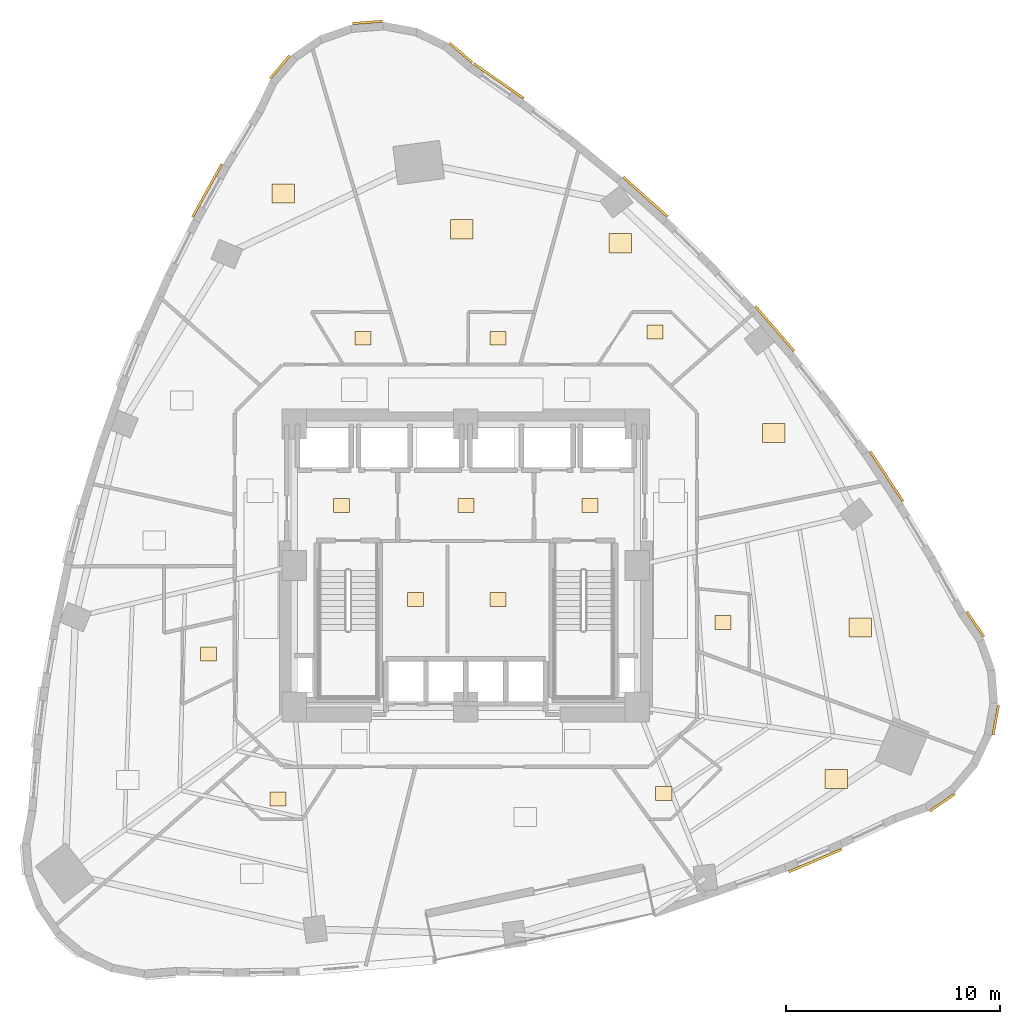
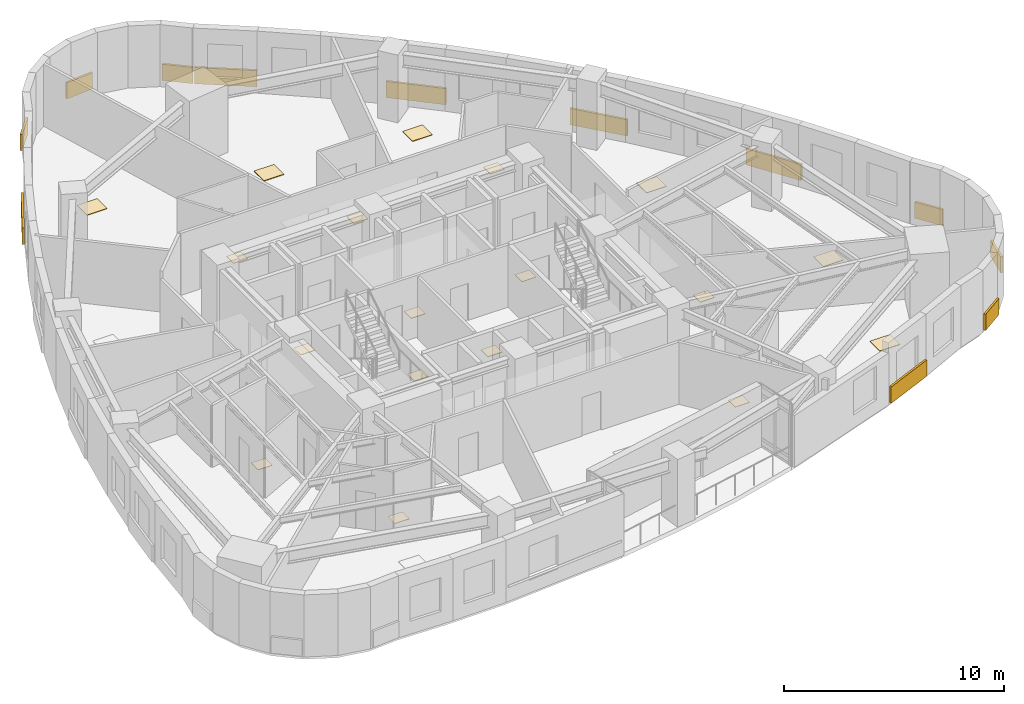
# One storey, part 12 of 12: 30 coverings.
"""IFC4 building model written with IfcOpenShell, lengths in metres."""

from ifc_helpers import new_model, si_unit, direction, frame, origin, origin_2d, place, context, subcontext, project, spatial, rectangle, extrude, material, layer, layer_set, type_object, element, save


model = new_model("IFC4")

# Units and contexts
model_context = context("Model", 3, precision=1e-05, world=origin(), true_north=direction((0.0, 1.0)))
body_context = subcontext(model_context, "Body", "Model", "MODEL_VIEW")
ifc_project = project(units=[si_unit("LENGTHUNIT", "METRE"), si_unit("AREAUNIT", "SQUARE_METRE"), si_unit("VOLUMEUNIT", "CUBIC_METRE"), si_unit("PLANEANGLEUNIT", "RADIAN"), si_unit("MASSUNIT", "GRAM", prefix="KILO")], contexts=[model_context])

# Site, building, storey
site_placement = place(None, origin())
site = spatial("IfcSite", under=ifc_project, at=site_placement, CompositionType="ELEMENT")
building_placement = place(site_placement, origin())
building = spatial("IfcBuilding", under=site, at=building_placement, Name="Ndelora Gate Hotel", CompositionType="ELEMENT")
storey_placement = place(building_placement, frame((0.0, 0.0, 79.25)))
storey = spatial("IfcBuildingStorey", under=building, at=storey_placement, Name="L19", CompositionType="ELEMENT", Elevation=79.25)

# Coverings
ifc_material_1 = material(Name="Terracotta Fired Clay Brick Slip Cladding", Category="masonry")
ifc_layer_1 = layer(ifc_material_1, 0.110107421875)
ifc_layer_set_1 = layer_set([ifc_layer_1], Name="Terracotta Fired Clay Brick Slip Cladding")
covering_type_1 = type_object("IfcCoveringType", Name="COV-CLAD-BRK", PredefinedType="CLADDING", material=ifc_layer_set_1)
for number, where, z_axis, x_axis, name in (
    (1, (-0.232177734375, 23.92529296875, 0.10009765625), (0.0, 0.0, 1.0), (-0.7604059656, 0.64944804833, 0.0), "L19 Rounded-Corner Brick Cladding Band 1"),
    (2, (-4.587646484375, 25.340576171875, 0.10009765625), (0.0, 0.0, 1.0), (0.996917333733, 0.078459095728, 0.0), "L19 Rounded-Corner Brick Cladding Band 4"),
    (3, (-8.66845703125, 23.26123046875, 0.10009765625), (0.0, 0.0, 1.0), (0.64944804833, 0.7604059656, 0.0), "L19 Rounded-Corner Brick Cladding Band 7"),
):
    element("IfcCovering", number, at=place(storey_placement, frame(where, z_axis=z_axis, x_axis=x_axis)), inside=storey, type_object=covering_type_1, Name=name, PredefinedType="CLADDING", context=body_context, shape_type="SweptSolid", body=[
        extrude(rectangle(XDim=1.4140625, YDim=0.110107421875, at=origin_2d()), origin(), (0.0, 0.0, 1.0), 0.89990234375),
    ])
covering_1_placement = place(storey_placement, frame((-12.06494140625, 17.494140625, 0.10009765625), z_axis=(0.0, 0.0, 1.0), x_axis=(0.48312957851, 0.875548862354, 0.0)))
element("IfcCovering", 4, at=covering_1_placement, inside=storey, type_object=covering_type_1, Name="L19 Rounded-Corner Brick Cladding Band 10", PredefinedType="CLADDING", context=body_context, shape_type="SweptSolid", body=[
    extrude(rectangle(XDim=2.81103515625, YDim=0.110107421875, at=origin_2d()), origin(), (0.0, 0.0, 1.0), 0.89990234375),
])
covering_2_placement = place(storey_placement, frame((16.298828125, -13.76025390625, 0.10009765625), z_axis=(0.0, 0.0, 1.0), x_axis=(0.920300140941, 0.391213050121, 0.0)))
element("IfcCovering", 5, at=covering_2_placement, inside=storey, type_object=covering_type_1, Name="L19 Rounded-Corner Brick Cladding Band 37", PredefinedType="CLADDING", context=body_context, shape_type="SweptSolid", body=[
    extrude(rectangle(XDim=2.696044921875, YDim=0.110107421875, at=origin_2d()), origin(), (0.0, 0.0, 1.0), 0.89990234375),
])
for number, where, z_axis, x_axis, name in (
    (6, (22.227783203125, -11.052490234375, 0.10009765625), (0.0, 0.0, 1.0), (0.824126188622, 0.566406236925, 0.0), "L19 Rounded-Corner Brick Cladding Band 40"),
    (7, (24.72216796875, -7.21142578125, 0.10009765625), (0.0, 0.0, 1.0), (0.182235525492, 0.983254907564, 0.0), "L19 Rounded-Corner Brick Cladding Band 43"),
    (8, (23.769775390625, -2.731689453125, 0.10009765625), (0.0, 0.0, 1.0), (-0.566406236925, 0.824126188622, 0.0), "L19 Rounded-Corner Brick Cladding Band 46"),
):
    element("IfcCovering", number, at=place(storey_placement, frame(where, z_axis=z_axis, x_axis=x_axis)), inside=storey, type_object=covering_type_1, Name=name, PredefinedType="CLADDING", context=body_context, shape_type="SweptSolid", body=[
        extrude(rectangle(XDim=1.4140625, YDim=0.110107421875, at=origin_2d()), origin(), (0.0, 0.0, 1.0), 0.89990234375),
    ])
covering_3_placement = place(storey_placement, frame((19.6279296875, 4.161376953125, 0.10009765625), z_axis=(0.0, 0.0, 1.0), x_axis=(-0.551791436375, 0.833982140542, 0.0)))
element("IfcCovering", 9, at=covering_3_placement, inside=storey, type_object=covering_type_1, Name="L19 Rounded-Corner Brick Cladding Band 49", PredefinedType="CLADDING", context=body_context, shape_type="SweptSolid", body=[
    extrude(rectangle(XDim=2.791015625, YDim=0.110107421875, at=origin_2d()), origin(), (0.0, 0.0, 1.0), 0.89990234375),
])
covering_4_placement = place(storey_placement, frame((14.415771484375, 11.0498046875, 0.10009765625), z_axis=(0.0, 0.0, 1.0), x_axis=(-0.653156323064, 0.757223096347, 0.0)))
element("IfcCovering", 10, at=covering_4_placement, inside=storey, type_object=covering_type_1, Name="L19 Rounded-Corner Brick Cladding Band 52", PredefinedType="CLADDING", context=body_context, shape_type="SweptSolid", body=[
    extrude(rectangle(XDim=2.760009765625, YDim=0.110107421875, at=origin_2d()), origin(), (0.0, 0.0, 1.0), 0.89990234375),
])
covering_5_placement = place(storey_placement, frame((8.38330078125, 17.19970703125, 0.10009765625), z_axis=(0.0, 0.0, 1.0), x_axis=(-0.744311546231, 0.667832555471, 0.0)))
element("IfcCovering", 11, at=covering_5_placement, inside=storey, type_object=covering_type_1, Name="L19 Rounded-Corner Brick Cladding Band 55", PredefinedType="CLADDING", context=body_context, shape_type="SweptSolid", body=[
    extrude(rectangle(XDim=2.77490234375, YDim=0.110107421875, at=origin_2d()), origin(), (0.0, 0.0, 1.0), 0.89990234375),
])
covering_6_placement = place(storey_placement, frame((1.531494140625, 22.6103515625, 0.10009765625), z_axis=(0.0, 0.0, 1.0), x_axis=(-0.821447921484, 0.570283536751, 0.0)))
element("IfcCovering", 12, at=covering_6_placement, inside=storey, type_object=covering_type_1, Name="L19 Rounded-Corner Brick Cladding Band 58", PredefinedType="CLADDING", context=body_context, shape_type="SweptSolid", body=[
    extrude(rectangle(XDim=2.8369140625, YDim=0.110107421875, at=origin_2d()), origin(), (0.0, 0.0, 1.0), 0.89990234375),
])
ifc_material_2 = material(Name="Engineered Highland Oak Parquet", Category="wood")
ifc_layer_2 = layer(ifc_material_2, 0.030029296875)
ifc_layer_set_2 = layer_set([ifc_layer_2], Name="Engineered Highland Oak Parquet")
covering_type_2 = type_object("IfcCoveringType", Name="COV-FLR-PARQ", PredefinedType="FLOORING", material=ifc_layer_set_2)
for number, where, z_axis, x_axis, name in (
    (13, (17.285400390625, -9.955078125, 0.0), (0.0, 0.0, 1.0), (1.0, 0.0, 0.0), "L19 Deluxe King Junior Suite 2203 Oak Parquet Flooring"),
    (14, (18.406982421875, -2.884521484375, 0.0), (0.0, 0.0, 1.0), (1.0, 0.0, 0.0), "L19 Twin Junior Suite 2204 Oak Parquet Flooring"),
    (15, (14.361328125, 6.1826171875, 0.0), (0.0, 0.0, 1.0), (1.0, 0.0, 0.0), "L19 Curated Art Salon Oak Parquet Flooring"),
    (16, (7.2060546875, 15.0361328125, 0.0), (0.0, 0.0, 1.0), (1.0, 0.0, 0.0), "L19 Family Twin Suite 2205 Oak Parquet Flooring"),
    (17, (-0.200927734375, 15.689453125, 0.0), (0.0, 0.0, 1.0), (1.0, 0.0, 0.0), "L19 Executive King Junior Suite 2206 Oak Parquet Flooring"),
    (18, (-8.509765625, 17.362060546875, 0.0), (0.0, 0.0, 1.0), (1.0, 0.0, 0.0), "L19 Superior Double Junior Suite 2207 Oak Parquet Flooring"),
):
    element("IfcCovering", number, at=place(storey_placement, frame(where, z_axis=z_axis, x_axis=x_axis)), inside=storey, type_object=covering_type_2, Name=name, PredefinedType="FLOORING", context=body_context, shape_type="SweptSolid", body=[
        extrude(rectangle(XDim=1.050048828125, YDim=0.89990234375, at=origin_2d()), origin(), (0.0, 0.0, 1.0), 0.030029296875),
    ])
ifc_material_3 = material(Name="Non-Slip Porcelain Wet-Room Tile", Category="ceramic")
ifc_layer_3 = layer(ifc_material_3, 0.02490234375)
ifc_layer_set_3 = layer_set([ifc_layer_3], Name="Non-Slip Porcelain Wet-Room Tile")
covering_type_3 = type_object("IfcCoveringType", Name="COV-FLR-TILE", PredefinedType="FLOORING", material=ifc_layer_set_3)
for number, where, z_axis, x_axis, name in (
    (19, (-5.800048828125, 2.800048828125, 0.0), (0.0, 0.0, 1.0), (1.0, 0.0, 0.0), "L19 Firefighting Lift Lobby West Porcelain Tile Flooring"),
    (20, (5.800048828125, 2.800048828125, 0.0), (0.0, 0.0, 1.0), (1.0, 0.0, 0.0), "L19 Firefighting Lift Lobby East Porcelain Tile Flooring"),
    (21, (0.0, 2.800048828125, 0.0), (0.0, 0.0, 1.0), (1.0, 0.0, 0.0), "L19 Central Passenger Lift Lobby Porcelain Tile Flooring"),
    (22, (-2.35009765625, -1.574951171875, 0.0), (0.0, 0.0, 1.0), (1.0, 0.0, 0.0), "L19 Core Electrical Switchroom Porcelain Tile Flooring"),
    (23, (1.5, -1.574951171875, 0.0), (0.0, 0.0, 1.0), (1.0, 0.0, 0.0), "L19 Central Linen Equipment Store Porcelain Tile Flooring"),
    (24, (-12.0048828125, -4.114501953125, 0.0), (0.0, 0.0, 1.0), (1.0, 0.0, 0.0), "L19 En-suite Bathroom 2201 Porcelain Tile Flooring"),
    (25, (-8.75390625, -10.89404296875, 0.0), (0.0, 0.0, 1.0), (1.0, 0.0, 0.0), "L19 En-suite Bathroom 2202 Porcelain Tile Flooring"),
    (26, (9.232421875, -10.63671875, 0.0), (0.0, 0.0, 1.0), (1.0, 0.0, 0.0), "L19 En-suite Bathroom 2203 Porcelain Tile Flooring"),
    (27, (12.0048828125, -2.65234375, 0.0), (0.0, 0.0, 1.0), (1.0, 0.0, 0.0), "L19 En-suite Bathroom 2204 Porcelain Tile Flooring"),
    (28, (8.824462890625, 10.89404296875, 0.0), (0.0, 0.0, 1.0), (1.0, 0.0, 0.0), "L19 En-suite Bathroom 2205 Porcelain Tile Flooring"),
    (29, (1.491455078125, 10.60498046875, 0.0), (0.0, 0.0, 1.0), (1.0, 0.0, 0.0), "L19 En-suite Bathroom 2206 Porcelain Tile Flooring"),
    (30, (-4.80126953125, 10.60498046875, 0.0), (0.0, 0.0, 1.0), (1.0, 0.0, 0.0), "L19 En-suite Bathroom 2207 Porcelain Tile Flooring"),
):
    element("IfcCovering", number, at=place(storey_placement, frame(where, z_axis=z_axis, x_axis=x_axis)), inside=storey, type_object=covering_type_3, Name=name, PredefinedType="FLOORING", context=body_context, shape_type="SweptSolid", body=[
        extrude(rectangle(XDim=0.75, YDim=0.64990234375, at=origin_2d()), origin(), (0.0, 0.0, 1.0), 0.02490234375),
    ])

save(model, "model.ifc")
